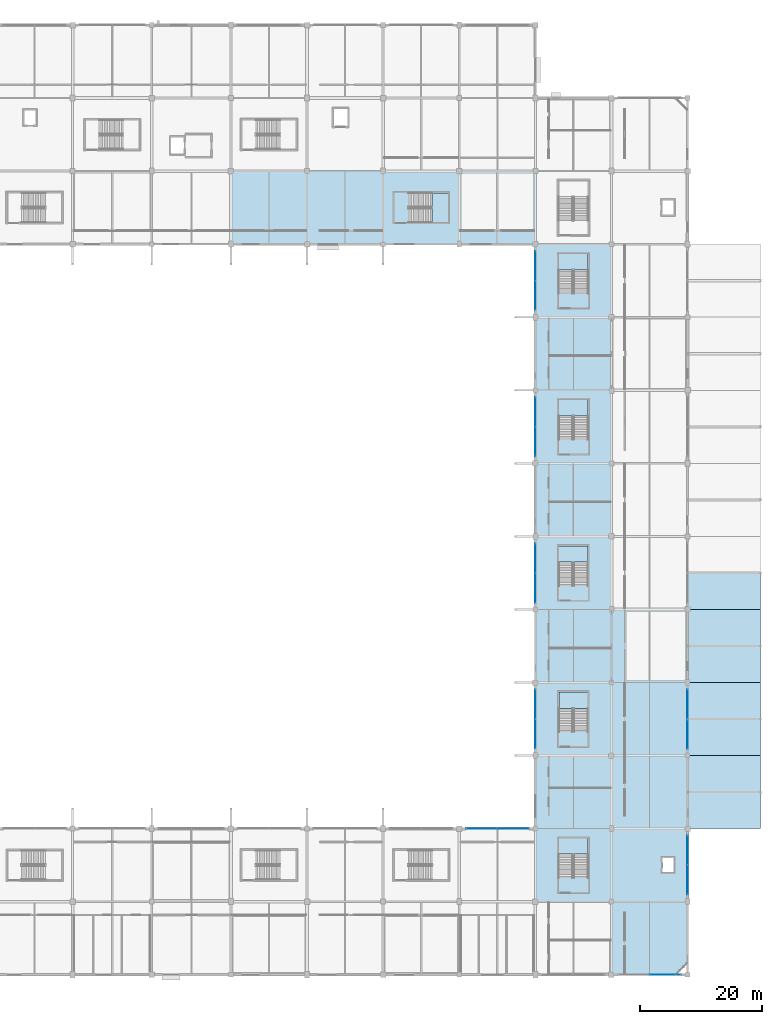
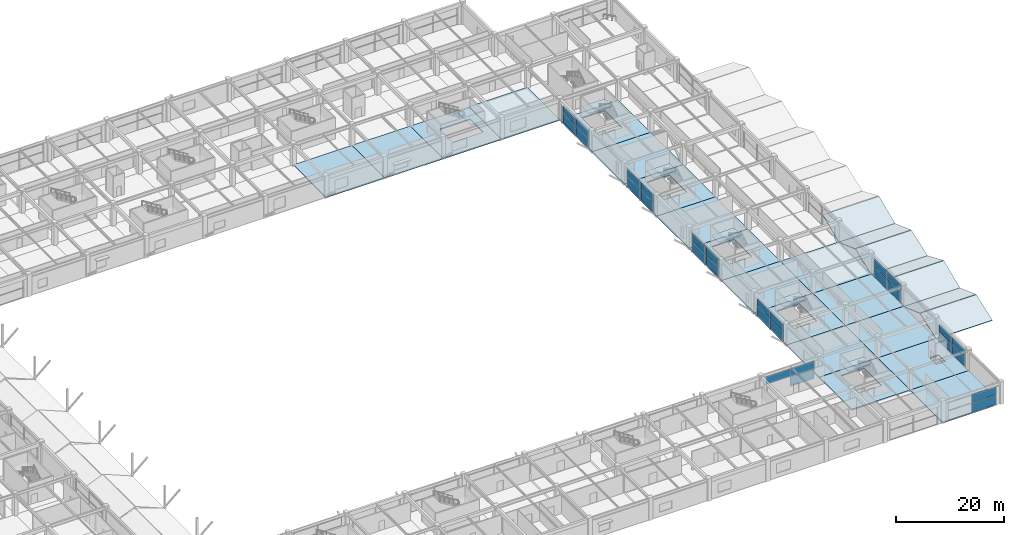
# One storey, part 58 of 116: 31 slabs, 29 plates, 14 elements without a shape of their own.
"""IFC4 building model written with IfcOpenShell, lengths in metres."""

from ifc_helpers import new_model, si_unit, direction, frame, origin, origin_2d, place, context, subcontext, project, spatial, polyline, rectangle, outline, extrude, material, layer, layer_set, type_object, element, aggregate, save


model = new_model("IFC4")

# Units and contexts
model_context = context("Model", 3, precision=1e-05, world=origin(), true_north=direction((0.0, 1.0)))
body_context = subcontext(model_context, "Body", "Model", "MODEL_VIEW")
ifc_project = project(units=[si_unit("LENGTHUNIT", "METRE"), si_unit("AREAUNIT", "SQUARE_METRE"), si_unit("VOLUMEUNIT", "CUBIC_METRE"), si_unit("PLANEANGLEUNIT", "RADIAN"), si_unit("MASSUNIT", "GRAM", prefix="KILO")], contexts=[model_context])

# Site, building, storey
site_placement = place(None, origin())
site = spatial("IfcSite", under=ifc_project, at=site_placement, CompositionType="ELEMENT")
building_placement = place(site_placement, origin())
building = spatial("IfcBuilding", under=site, at=building_placement, Name="Kazenohara Klinker Stadium", CompositionType="ELEMENT")
storey_placement = place(building_placement, frame((0.0, 0.0, 10.199951171875)))
storey = spatial("IfcBuildingStorey", under=building, at=storey_placement, Name="L02", CompositionType="ELEMENT", Elevation=10.199951171875)

# Curtain wall, plates
ifc_material_1 = material(Name="Anodised aluminium and triple glazing", Category="aluminium")
ifc_layer_1 = layer(ifc_material_1, 0.159912109375)
ifc_layer_set_1 = layer_set([ifc_layer_1], Name="Anodised aluminium and triple glazing")
curtain_wall_type_1 = type_object("IfcCurtainWallType", Name="CW-SYS-01", PredefinedType="USERDEFINED", material=ifc_layer_set_1)
curtain_wall_1_placement = place(storey_placement, origin())
curtain_wall_1 = element("IfcCurtainWall", 1, at=curtain_wall_1_placement, inside=storey, type_object=curtain_wall_type_1, Name="Unitised facade curtain wall CW01 L02 X13-3", ObjectType="UNITISED CURTAIN WALL", PredefinedType="USERDEFINED")
ifc_material_2 = material(Name="Low-e laminated triple glazing", Category="glass")
ifc_layer_2 = layer(ifc_material_2, 0.035888671875)
ifc_layer_set_2 = layer_set([ifc_layer_2], Name="Low-e laminated triple glazing")
plate_type_1 = type_object("IfcPlateType", Name="CW-PNL-36", PredefinedType="CURTAIN_PANEL", material=ifc_layer_set_2)
plate_1_placement = place(storey_placement, frame((166.205810546875, 36.0, 2.29833984375), z_axis=(0.0, 0.0, 1.0), x_axis=(1.0, 0.0, 0.0)))
plate_1 = element("IfcPlate", 2, at=plate_1_placement, type_object=plate_type_1, Name="CW01 panel 1.2", PredefinedType="CURTAIN_PANEL", context=body_context, shape_type="SweptSolid", body=[
    extrude(rectangle(XDim=5.073486328125, YDim=0.035888671875, at=origin_2d()), origin(), (0.0, 0.0, 1.0), 1.756591796875),
])
plate_2_placement = place(storey_placement, frame((171.34423828125, 36.0, 0.065185546875), z_axis=(0.0, 0.0, 1.0), x_axis=(1.0, 0.0, 0.0)))
plate_2 = element("IfcPlate", 3, at=plate_2_placement, type_object=plate_type_1, Name="CW01 panel 2.1", PredefinedType="CURTAIN_PANEL", context=body_context, shape_type="SweptSolid", body=[
    extrude(rectangle(XDim=5.073486328125, YDim=0.035888671875, at=origin_2d()), origin(), (0.0, 0.0, 1.0), 2.16845703125),
])
plate_3_placement = place(storey_placement, frame((171.34423828125, 36.0, 2.29833984375), z_axis=(0.0, 0.0, 1.0), x_axis=(1.0, 0.0, 0.0)))
plate_3 = element("IfcPlate", 4, at=plate_3_placement, type_object=plate_type_1, Name="CW01 panel 2.2", PredefinedType="CURTAIN_PANEL", context=body_context, shape_type="SweptSolid", body=[
    extrude(rectangle(XDim=5.073486328125, YDim=0.035888671875, at=origin_2d()), origin(), (0.0, 0.0, 1.0), 1.756591796875),
])
aggregate(curtain_wall_1, [plate_1, plate_2, plate_3])

ifc_layer_3 = layer(ifc_material_1, 0.18994140625)
ifc_layer_set_3 = layer_set([ifc_layer_3], Name="Anodised aluminium and triple glazing")
curtain_wall_type_2 = type_object("IfcCurtainWallType", Name="CW-SYS-05", PredefinedType="USERDEFINED", material=ifc_layer_set_3)
curtain_wall_2_placement = place(storey_placement, origin())
curtain_wall_2 = element("IfcCurtainWall", 5, at=curtain_wall_2_placement, inside=storey, type_object=curtain_wall_type_2, Name="Unitised facade curtain wall CW05 L02 Y14-6", ObjectType="UNITISED CURTAIN WALL", PredefinedType="USERDEFINED")
plate_4_placement = place(storey_placement, frame((175.0, 75.518310546875, 0.065185546875), z_axis=(0.0, 0.0, 1.0), x_axis=(0.0, 1.0, 0.0)))
plate_4 = element("IfcPlate", 6, at=plate_4_placement, type_object=plate_type_1, Name="CW05 panel 1.1", PredefinedType="CURTAIN_PANEL", context=body_context, shape_type="SweptSolid", body=[
    extrude(rectangle(XDim=4.798583984375, YDim=0.035888671875, at=origin_2d()), origin(), (0.0, 0.0, 1.0), 2.22998046875),
])
plate_5_placement = place(storey_placement, frame((175.0, 75.518310546875, 2.3603515625), z_axis=(0.0, 0.0, 1.0), x_axis=(0.0, 1.0, 0.0)))
plate_5 = element("IfcPlate", 7, at=plate_5_placement, type_object=plate_type_1, Name="CW05 panel 1.2", PredefinedType="CURTAIN_PANEL", context=body_context, shape_type="SweptSolid", body=[
    extrude(rectangle(XDim=4.798583984375, YDim=0.035888671875, at=origin_2d()), origin(), (0.0, 0.0, 1.0), 1.806884765625),
])
plate_6_placement = place(storey_placement, frame((175.0, 80.3818359375, 0.065185546875), z_axis=(0.0, 0.0, 1.0), x_axis=(0.0, 1.0, 0.0)))
plate_6 = element("IfcPlate", 8, at=plate_6_placement, type_object=plate_type_1, Name="CW05 panel 2.1", PredefinedType="CURTAIN_PANEL", context=body_context, shape_type="SweptSolid", body=[
    extrude(rectangle(XDim=4.798583984375, YDim=0.035888671875, at=origin_2d()), origin(), (0.0, 0.0, 1.0), 2.22998046875),
])
plate_7_placement = place(storey_placement, frame((175.0, 80.3818359375, 2.3603515625), z_axis=(0.0, 0.0, 1.0), x_axis=(0.0, 1.0, 0.0)))
plate_7 = element("IfcPlate", 9, at=plate_7_placement, type_object=plate_type_1, Name="CW05 panel 2.2", PredefinedType="CURTAIN_PANEL", context=body_context, shape_type="SweptSolid", body=[
    extrude(rectangle(XDim=4.798583984375, YDim=0.035888671875, at=origin_2d()), origin(), (0.0, 0.0, 1.0), 1.806884765625),
])
aggregate(curtain_wall_2, [plate_4, plate_5, plate_6, plate_7])

ifc_layer_4 = layer(ifc_material_1, 0.179931640625)
ifc_layer_set_4 = layer_set([ifc_layer_4], Name="Anodised aluminium and triple glazing")
curtain_wall_type_3 = type_object("IfcCurtainWallType", Name="CW-SYS-02", PredefinedType="USERDEFINED", material=ifc_layer_set_4)
curtain_wall_3_placement = place(storey_placement, origin())
curtain_wall_3 = element("IfcCurtainWall", 10, at=curtain_wall_3_placement, inside=storey, type_object=curtain_wall_type_3, Name="Unitised facade curtain wall CW02 L02 Y14-10", ObjectType="UNITISED CURTAIN WALL", PredefinedType="USERDEFINED")
plate_8_placement = place(storey_placement, frame((175.0, 123.605712890625, 0.06494140625), z_axis=(0.0, 0.0, 1.0), x_axis=(0.0, 1.0, 0.0)))
plate_8 = element("IfcPlate", 11, at=plate_8_placement, type_object=plate_type_1, Name="CW02 panel 1.1", PredefinedType="CURTAIN_PANEL", context=body_context, shape_type="SweptSolid", body=[
    extrude(rectangle(XDim=4.7734375, YDim=0.035888671875, at=origin_2d()), origin(), (0.0, 0.0, 1.0), 2.113525390625),
])
plate_9_placement = place(storey_placement, frame((175.0, 123.605712890625, 2.24365234375), z_axis=(0.0, 0.0, 1.0), x_axis=(0.0, 1.0, 0.0)))
plate_9 = element("IfcPlate", 12, at=plate_9_placement, type_object=plate_type_1, Name="CW02 panel 1.2", PredefinedType="CURTAIN_PANEL", context=body_context, shape_type="SweptSolid", body=[
    extrude(rectangle(XDim=4.7734375, YDim=0.035888671875, at=origin_2d()), origin(), (0.0, 0.0, 1.0), 1.71142578125),
])
plate_10_placement = place(storey_placement, frame((175.0, 128.4443359375, 0.06494140625), z_axis=(0.0, 0.0, 1.0), x_axis=(0.0, 1.0, 0.0)))
plate_10 = element("IfcPlate", 13, at=plate_10_placement, type_object=plate_type_1, Name="CW02 panel 2.1", PredefinedType="CURTAIN_PANEL", context=body_context, shape_type="SweptSolid", body=[
    extrude(rectangle(XDim=4.7734375, YDim=0.035888671875, at=origin_2d()), origin(), (0.0, 0.0, 1.0), 2.113525390625),
])
plate_11_placement = place(storey_placement, frame((175.0, 128.4443359375, 2.24365234375), z_axis=(0.0, 0.0, 1.0), x_axis=(0.0, 1.0, 0.0)))
plate_11 = element("IfcPlate", 14, at=plate_11_placement, type_object=plate_type_1, Name="CW02 panel 2.2", PredefinedType="CURTAIN_PANEL", context=body_context, shape_type="SweptSolid", body=[
    extrude(rectangle(XDim=4.7734375, YDim=0.035888671875, at=origin_2d()), origin(), (0.0, 0.0, 1.0), 1.71142578125),
])
aggregate(curtain_wall_3, [plate_8, plate_9, plate_10, plate_11])

ifc_layer_5 = layer(ifc_material_1, 0.169921875)
ifc_layer_set_5 = layer_set([ifc_layer_5], Name="Anodised aluminium and triple glazing")
curtain_wall_type_4 = type_object("IfcCurtainWallType", Name="CW-SYS-04", PredefinedType="USERDEFINED", material=ifc_layer_set_5)
curtain_wall_4_placement = place(storey_placement, origin())
curtain_wall_4 = element("IfcCurtainWall", 15, at=curtain_wall_4_placement, inside=storey, type_object=curtain_wall_type_4, Name="Unitised facade curtain wall CW04 L02 Y16-2", ObjectType="UNITISED CURTAIN WALL", PredefinedType="USERDEFINED")
plate_12_placement = place(storey_placement, frame((200.0, 27.605712890625, 0.06494140625), z_axis=(0.0, 0.0, 1.0), x_axis=(0.0, 1.0, 0.0)))
plate_12 = element("IfcPlate", 16, at=plate_12_placement, type_object=plate_type_1, Name="CW04 panel 1.1", PredefinedType="CURTAIN_PANEL", context=body_context, shape_type="SweptSolid", body=[
    extrude(rectangle(XDim=4.7734375, YDim=0.035888671875, at=origin_2d()), origin(), (0.0, 0.0, 1.0), 2.113525390625),
])
plate_13_placement = place(storey_placement, frame((200.0, 27.605712890625, 2.24365234375), z_axis=(0.0, 0.0, 1.0), x_axis=(0.0, 1.0, 0.0)))
plate_13 = element("IfcPlate", 17, at=plate_13_placement, type_object=plate_type_1, Name="CW04 panel 1.2", PredefinedType="CURTAIN_PANEL", context=body_context, shape_type="SweptSolid", body=[
    extrude(rectangle(XDim=4.7734375, YDim=0.035888671875, at=origin_2d()), origin(), (0.0, 0.0, 1.0), 1.71142578125),
])
plate_14_placement = place(storey_placement, frame((200.0, 32.4443359375, 0.06494140625), z_axis=(0.0, 0.0, 1.0), x_axis=(0.0, 1.0, 0.0)))
plate_14 = element("IfcPlate", 18, at=plate_14_placement, type_object=plate_type_1, Name="CW04 panel 2.1", PredefinedType="CURTAIN_PANEL", context=body_context, shape_type="SweptSolid", body=[
    extrude(rectangle(XDim=4.7734375, YDim=0.035888671875, at=origin_2d()), origin(), (0.0, 0.0, 1.0), 2.113525390625),
])
plate_15_placement = place(storey_placement, frame((200.0, 32.4443359375, 2.24365234375), z_axis=(0.0, 0.0, 1.0), x_axis=(0.0, 1.0, 0.0)))
plate_15 = element("IfcPlate", 19, at=plate_15_placement, type_object=plate_type_1, Name="CW04 panel 2.2", PredefinedType="CURTAIN_PANEL", context=body_context, shape_type="SweptSolid", body=[
    extrude(rectangle(XDim=4.7734375, YDim=0.035888671875, at=origin_2d()), origin(), (0.0, 0.0, 1.0), 1.71142578125),
])
aggregate(curtain_wall_4, [plate_12, plate_13, plate_14, plate_15])

curtain_wall_5_placement = place(storey_placement, origin())
curtain_wall_5 = element("IfcCurtainWall", 20, at=curtain_wall_5_placement, inside=storey, type_object=curtain_wall_type_4, Name="Unitised facade curtain wall CW04 L02 Y14-4", ObjectType="UNITISED CURTAIN WALL", PredefinedType="USERDEFINED")
ifc_layer_6 = layer(ifc_material_2, 0.0439453125)
ifc_layer_set_6 = layer_set([ifc_layer_6], Name="Low-e laminated triple glazing")
plate_type_2 = type_object("IfcPlateType", Name="CW-PNL-44", PredefinedType="CURTAIN_PANEL", material=ifc_layer_set_6)
plate_16_placement = place(storey_placement, frame((175.0, 51.608154296875, 0.0751953125), z_axis=(0.0, 0.0, 1.0), x_axis=(0.0, 1.0, 0.0)))
plate_16 = element("IfcPlate", 21, at=plate_16_placement, type_object=plate_type_2, Name="CW04 panel 1.1", PredefinedType="CURTAIN_PANEL", context=body_context, shape_type="SweptSolid", body=[
    extrude(rectangle(XDim=4.758544921875, YDim=0.0439453125, at=origin_2d()), origin(), (0.0, 0.0, 1.0), 2.098388671875),
])
plate_17_placement = place(storey_placement, frame((175.0, 51.608154296875, 2.24853515625), z_axis=(0.0, 0.0, 1.0), x_axis=(0.0, 1.0, 0.0)))
plate_17 = element("IfcPlate", 22, at=plate_17_placement, type_object=plate_type_2, Name="CW04 panel 1.2", PredefinedType="CURTAIN_PANEL", context=body_context, shape_type="SweptSolid", body=[
    extrude(rectangle(XDim=4.758544921875, YDim=0.0439453125, at=origin_2d()), origin(), (0.0, 0.0, 1.0), 1.696533203125),
])
plate_18_placement = place(storey_placement, frame((175.0, 56.441650390625, 0.0751953125), z_axis=(0.0, 0.0, 1.0), x_axis=(0.0, 1.0, 0.0)))
plate_18 = element("IfcPlate", 23, at=plate_18_placement, type_object=plate_type_2, Name="CW04 panel 2.1", PredefinedType="CURTAIN_PANEL", context=body_context, shape_type="SweptSolid", body=[
    extrude(rectangle(XDim=4.758544921875, YDim=0.0439453125, at=origin_2d()), origin(), (0.0, 0.0, 1.0), 2.098388671875),
])
plate_19_placement = place(storey_placement, frame((175.0, 56.441650390625, 2.24853515625), z_axis=(0.0, 0.0, 1.0), x_axis=(0.0, 1.0, 0.0)))
plate_19 = element("IfcPlate", 24, at=plate_19_placement, type_object=plate_type_2, Name="CW04 panel 2.2", PredefinedType="CURTAIN_PANEL", context=body_context, shape_type="SweptSolid", body=[
    extrude(rectangle(XDim=4.758544921875, YDim=0.0439453125, at=origin_2d()), origin(), (0.0, 0.0, 1.0), 1.696533203125),
])
aggregate(curtain_wall_5, [plate_16, plate_17, plate_18, plate_19])

curtain_wall_6_placement = place(storey_placement, origin())
curtain_wall_6 = element("IfcCurtainWall", 25, at=curtain_wall_6_placement, inside=storey, type_object=curtain_wall_type_1, Name="Unitised facade curtain wall CW01 L02 Y14-8", ObjectType="UNITISED CURTAIN WALL", PredefinedType="USERDEFINED")
plate_20_placement = place(storey_placement, frame((175.0, 99.583251953125, 0.0751953125), z_axis=(0.0, 0.0, 1.0), x_axis=(0.0, 1.0, 0.0)))
plate_20 = element("IfcPlate", 26, at=plate_20_placement, type_object=plate_type_2, Name="CW01 panel 1.1", PredefinedType="CURTAIN_PANEL", context=body_context, shape_type="SweptSolid", body=[
    extrude(rectangle(XDim=4.80859375, YDim=0.0439453125, at=origin_2d()), origin(), (0.0, 0.0, 1.0), 2.153564453125),
])
plate_21_placement = place(storey_placement, frame((175.0, 99.583251953125, 2.3037109375), z_axis=(0.0, 0.0, 1.0), x_axis=(0.0, 1.0, 0.0)))
plate_21 = element("IfcPlate", 27, at=plate_21_placement, type_object=plate_type_2, Name="CW01 panel 1.2", PredefinedType="CURTAIN_PANEL", context=body_context, shape_type="SweptSolid", body=[
    extrude(rectangle(XDim=4.80859375, YDim=0.0439453125, at=origin_2d()), origin(), (0.0, 0.0, 1.0), 1.741455078125),
])
plate_22_placement = place(storey_placement, frame((175.0, 104.466796875, 0.0751953125), z_axis=(0.0, 0.0, 1.0), x_axis=(0.0, 1.0, 0.0)))
plate_22 = element("IfcPlate", 28, at=plate_22_placement, type_object=plate_type_2, Name="CW01 panel 2.1", PredefinedType="CURTAIN_PANEL", context=body_context, shape_type="SweptSolid", body=[
    extrude(rectangle(XDim=4.80859375, YDim=0.0439453125, at=origin_2d()), origin(), (0.0, 0.0, 1.0), 2.153564453125),
])
plate_23_placement = place(storey_placement, frame((175.0, 104.466796875, 2.3037109375), z_axis=(0.0, 0.0, 1.0), x_axis=(0.0, 1.0, 0.0)))
plate_23 = element("IfcPlate", 29, at=plate_23_placement, type_object=plate_type_2, Name="CW01 panel 2.2", PredefinedType="CURTAIN_PANEL", context=body_context, shape_type="SweptSolid", body=[
    extrude(rectangle(XDim=4.80859375, YDim=0.0439453125, at=origin_2d()), origin(), (0.0, 0.0, 1.0), 1.741455078125),
])
aggregate(curtain_wall_6, [plate_20, plate_21, plate_22, plate_23])

ifc_layer_7 = layer(ifc_material_1, 0.199951171875)
ifc_layer_set_7 = layer_set([ifc_layer_7], Name="Anodised aluminium and triple glazing")
curtain_wall_type_5 = type_object("IfcCurtainWallType", Name="CW-SYS-03", PredefinedType="USERDEFINED", material=ifc_layer_set_7)
curtain_wall_7_placement = place(storey_placement, origin())
curtain_wall_7 = element("IfcCurtainWall", 30, at=curtain_wall_7_placement, inside=storey, type_object=curtain_wall_type_5, Name="Unitised facade curtain wall CW03 L02 X15-1", ObjectType="UNITISED CURTAIN WALL", PredefinedType="USERDEFINED")
plate_24_placement = place(storey_placement, frame((196.341796875, 12.0, 0.0751953125), z_axis=(0.0, 0.0, 1.0), x_axis=(1.0, 0.0, 0.0)))
plate_24 = element("IfcPlate", 31, at=plate_24_placement, type_object=plate_type_2, Name="CW03 panel 2.1", PredefinedType="CURTAIN_PANEL", context=body_context, shape_type="SweptSolid", body=[
    extrude(rectangle(XDim=5.05859375, YDim=0.0439453125, at=origin_2d()), origin(), (0.0, 0.0, 1.0), 2.153564453125),
])
plate_25_placement = place(storey_placement, frame((196.341796875, 12.0, 2.3037109375), z_axis=(0.0, 0.0, 1.0), x_axis=(1.0, 0.0, 0.0)))
plate_25 = element("IfcPlate", 32, at=plate_25_placement, type_object=plate_type_2, Name="CW03 panel 2.2", PredefinedType="CURTAIN_PANEL", context=body_context, shape_type="SweptSolid", body=[
    extrude(rectangle(XDim=5.05859375, YDim=0.0439453125, at=origin_2d()), origin(), (0.0, 0.0, 1.0), 1.741455078125),
])
aggregate(curtain_wall_7, [plate_24, plate_25])

curtain_wall_8_placement = place(storey_placement, origin())
curtain_wall_8 = element("IfcCurtainWall", 33, at=curtain_wall_8_placement, inside=storey, type_object=curtain_wall_type_2, Name="Unitised facade curtain wall CW05 L02 Y16-4", ObjectType="UNITISED CURTAIN WALL", PredefinedType="USERDEFINED")
plate_26_placement = place(storey_placement, frame((200.0, 51.520751953125, 0.0751953125), z_axis=(0.0, 0.0, 1.0), x_axis=(0.0, 1.0, 0.0)))
plate_26 = element("IfcPlate", 34, at=plate_26_placement, type_object=plate_type_2, Name="CW05 panel 1.1", PredefinedType="CURTAIN_PANEL", context=body_context, shape_type="SweptSolid", body=[
    extrude(rectangle(XDim=4.783447265625, YDim=0.0439453125, at=origin_2d()), origin(), (0.0, 0.0, 1.0), 2.215087890625),
])
plate_27_placement = place(storey_placement, frame((200.0, 51.520751953125, 2.364990234375), z_axis=(0.0, 0.0, 1.0), x_axis=(0.0, 1.0, 0.0)))
plate_27 = element("IfcPlate", 35, at=plate_27_placement, type_object=plate_type_2, Name="CW05 panel 1.2", PredefinedType="CURTAIN_PANEL", context=body_context, shape_type="SweptSolid", body=[
    extrude(rectangle(XDim=4.783447265625, YDim=0.0439453125, at=origin_2d()), origin(), (0.0, 0.0, 1.0), 1.7919921875),
])
plate_28_placement = place(storey_placement, frame((200.0, 56.379150390625, 0.0751953125), z_axis=(0.0, 0.0, 1.0), x_axis=(0.0, 1.0, 0.0)))
plate_28 = element("IfcPlate", 36, at=plate_28_placement, type_object=plate_type_2, Name="CW05 panel 2.1", PredefinedType="CURTAIN_PANEL", context=body_context, shape_type="SweptSolid", body=[
    extrude(rectangle(XDim=4.783447265625, YDim=0.0439453125, at=origin_2d()), origin(), (0.0, 0.0, 1.0), 2.215087890625),
])
plate_29_placement = place(storey_placement, frame((200.0, 56.379150390625, 2.364990234375), z_axis=(0.0, 0.0, 1.0), x_axis=(0.0, 1.0, 0.0)))
plate_29 = element("IfcPlate", 37, at=plate_29_placement, type_object=plate_type_2, Name="CW05 panel 2.2", PredefinedType="CURTAIN_PANEL", context=body_context, shape_type="SweptSolid", body=[
    extrude(rectangle(XDim=4.783447265625, YDim=0.0439453125, at=origin_2d()), origin(), (0.0, 0.0, 1.0), 1.7919921875),
])
aggregate(curtain_wall_8, [plate_26, plate_27, plate_28, plate_29])

# Slabs
ifc_material_3 = material(Name="Concrete C40/50", Category="concrete")
ifc_layer_8 = layer(ifc_material_3, 0.25)
ifc_layer_set_8 = layer_set([ifc_layer_8], Name="Concrete C40/50")
slab_type_1 = type_object("IfcSlabType", Name="SLB-FLR-250", PredefinedType="FLOOR", material=ifc_layer_set_8)
slab_1_placement = place(storey_placement, frame((0.0, 0.0, -0.25)))
element("IfcSlab", 38, at=slab_1_placement, inside=storey, type_object=slab_type_1, Name="Floor slab FS03 L02 11/M", PredefinedType="FLOOR", context=body_context, shape_type="SweptSolid", body=[
    extrude(outline(polyline([(125.0, 132.0), (137.5, 132.0), (137.5, 144.0), (125.0, 144.0), (125.0, 132.0)])), origin(), (0.0, 0.0, 1.0), 0.25),
])
slab_2_placement = place(storey_placement, frame((0.0, 0.0, -0.25)))
element("IfcSlab", 39, at=slab_2_placement, inside=storey, type_object=slab_type_1, Name="Floor slab FS03 L02 12/M", PredefinedType="FLOOR", context=body_context, shape_type="SweptSolid", body=[
    extrude(outline(polyline([(137.5, 132.0), (150.0, 132.0), (150.0, 144.0), (137.5, 144.0), (137.5, 132.0)])), origin(), (0.0, 0.0, 1.0), 0.25),
])
slab_3_placement = place(storey_placement, frame((0.0, 0.0, -0.25)))
element("IfcSlab", 40, at=slab_3_placement, inside=storey, type_object=slab_type_1, Name="Floor slab FS03 L02 13/M", PredefinedType="FLOOR", context=body_context, shape_type="SweptSolid", body=[
    extrude(outline(polyline([(150.0, 132.0), (162.5, 132.0), (162.5, 144.0), (150.0, 144.0), (150.0, 132.0)]), holes=[polyline([(154.2099609375, 135.56005859375), (160.7099609375, 135.56005859375), (160.7099609375, 140.43994140625), (154.2099609375, 140.43994140625), (154.2099609375, 135.56005859375)])]), origin(), (0.0, 0.0, 1.0), 0.25),
])
slab_4_placement = place(storey_placement, frame((0.0, 0.0, -0.25)))
element("IfcSlab", 41, at=slab_4_placement, inside=storey, type_object=slab_type_1, Name="Floor slab FS03 L02 14/M", PredefinedType="FLOOR", context=body_context, shape_type="SweptSolid", body=[
    extrude(outline(polyline([(162.5, 132.0), (175.0, 132.0), (175.0, 144.0), (162.5, 144.0), (162.5, 132.0)])), origin(), (0.0, 0.0, 1.0), 0.25),
])
slab_5_placement = place(storey_placement, frame((0.0, 0.0, -0.25)))
element("IfcSlab", 42, at=slab_5_placement, inside=storey, type_object=slab_type_1, Name="Floor slab FS03 L02 15/C", PredefinedType="FLOOR", context=body_context, shape_type="SweptSolid", body=[
    extrude(outline(polyline([(175.0, 24.0), (187.5, 24.0), (187.5, 36.0), (175.0, 36.0), (175.0, 24.0)]), holes=[polyline([(183.68994140625, 27.9599609375), (183.68994140625, 34.4599609375), (178.81005859375, 34.4599609375), (178.81005859375, 27.9599609375), (183.68994140625, 27.9599609375)])]), origin(), (0.0, 0.0, 1.0), 0.25),
])
slab_6_placement = place(storey_placement, frame((0.0, 0.0, -0.25)))
element("IfcSlab", 43, at=slab_6_placement, inside=storey, type_object=slab_type_1, Name="Floor slab FS03 L02 15/D", PredefinedType="FLOOR", context=body_context, shape_type="SweptSolid", body=[
    extrude(outline(polyline([(175.0, 36.0), (187.5, 36.0), (187.5, 48.0), (175.0, 48.0), (175.0, 36.0)])), origin(), (0.0, 0.0, 1.0), 0.25),
])
slab_7_placement = place(storey_placement, frame((0.0, 0.0, -0.25)))
element("IfcSlab", 44, at=slab_7_placement, inside=storey, type_object=slab_type_1, Name="Floor slab FS03 L02 15/E", PredefinedType="FLOOR", context=body_context, shape_type="SweptSolid", body=[
    extrude(outline(polyline([(175.0, 48.0), (187.5, 48.0), (187.5, 60.0), (175.0, 60.0), (175.0, 48.0)]), holes=[polyline([(183.64990234375, 51.919921875), (183.64990234375, 58.4599609375), (178.85009765625, 58.4599609375), (178.85009765625, 51.919921875), (183.64990234375, 51.919921875)])]), origin(), (0.0, 0.0, 1.0), 0.25),
])
slab_8_placement = place(storey_placement, frame((0.0, 0.0, -0.25)))
element("IfcSlab", 45, at=slab_8_placement, inside=storey, type_object=slab_type_1, Name="Floor slab FS03 L02 15/F", PredefinedType="FLOOR", context=body_context, shape_type="SweptSolid", body=[
    extrude(outline(polyline([(175.0, 60.0), (187.5, 60.0), (187.5, 72.0), (175.0, 72.0), (175.0, 60.0)])), origin(), (0.0, 0.0, 1.0), 0.25),
])
slab_9_placement = place(storey_placement, frame((0.0, 0.0, -0.25)))
element("IfcSlab", 46, at=slab_9_placement, inside=storey, type_object=slab_type_1, Name="Floor slab FS03 L02 15/G", PredefinedType="FLOOR", context=body_context, shape_type="SweptSolid", body=[
    extrude(outline(polyline([(175.0, 72.0), (187.5, 72.0), (187.5, 84.0), (175.0, 84.0), (175.0, 72.0)]), holes=[polyline([(183.659912109375, 75.929931640625), (183.659912109375, 82.4599609375), (178.840087890625, 82.4599609375), (178.840087890625, 75.929931640625), (183.659912109375, 75.929931640625)])]), origin(), (0.0, 0.0, 1.0), 0.25),
])
slab_10_placement = place(storey_placement, frame((0.0, 0.0, -0.25)))
element("IfcSlab", 47, at=slab_10_placement, inside=storey, type_object=slab_type_1, Name="Floor slab FS03 L02 15/H", PredefinedType="FLOOR", context=body_context, shape_type="SweptSolid", body=[
    extrude(outline(polyline([(175.0, 84.0), (187.5, 84.0), (187.5, 96.0), (175.0, 96.0), (175.0, 84.0)])), origin(), (0.0, 0.0, 1.0), 0.25),
])
slab_11_placement = place(storey_placement, frame((0.0, 0.0, -0.25)))
element("IfcSlab", 48, at=slab_11_placement, inside=storey, type_object=slab_type_1, Name="Floor slab FS03 L02 15/J", PredefinedType="FLOOR", context=body_context, shape_type="SweptSolid", body=[
    extrude(outline(polyline([(175.0, 96.0), (187.5, 96.0), (187.5, 108.0), (175.0, 108.0), (175.0, 96.0)]), holes=[polyline([(183.679931640625, 99.949951171875), (183.679931640625, 106.4599609375), (178.820068359375, 106.4599609375), (178.820068359375, 99.949951171875), (183.679931640625, 99.949951171875)])]), origin(), (0.0, 0.0, 1.0), 0.25),
])
slab_12_placement = place(storey_placement, frame((0.0, 0.0, -0.25)))
element("IfcSlab", 49, at=slab_12_placement, inside=storey, type_object=slab_type_1, Name="Floor slab FS03 L02 15/K", PredefinedType="FLOOR", context=body_context, shape_type="SweptSolid", body=[
    extrude(outline(polyline([(175.0, 108.0), (187.5, 108.0), (187.5, 120.0), (175.0, 120.0), (175.0, 108.0)])), origin(), (0.0, 0.0, 1.0), 0.25),
])
slab_13_placement = place(storey_placement, frame((0.0, 0.0, -0.25)))
element("IfcSlab", 50, at=slab_13_placement, inside=storey, type_object=slab_type_1, Name="Floor slab FS03 L02 15/L", PredefinedType="FLOOR", context=body_context, shape_type="SweptSolid", body=[
    extrude(outline(polyline([(175.0, 120.0), (187.5, 120.0), (187.5, 132.0), (175.0, 132.0), (175.0, 120.0)]), holes=[polyline([(183.68994140625, 123.9599609375), (183.68994140625, 130.4599609375), (178.81005859375, 130.4599609375), (178.81005859375, 123.9599609375), (183.68994140625, 123.9599609375)])]), origin(), (0.0, 0.0, 1.0), 0.25),
])
slab_14_placement = place(storey_placement, frame((0.0, 0.0, -0.25)))
element("IfcSlab", 51, at=slab_14_placement, inside=storey, type_object=slab_type_1, Name="Floor slab FS03 L02 16/B", PredefinedType="FLOOR", context=body_context, shape_type="SweptSolid", body=[
    extrude(outline(polyline([(187.5, 12.0), (198.199951171875, 12.0), (200.0, 13.800048828125), (200.0, 24.0), (187.5, 24.0), (187.5, 12.0)])), origin(), (0.0, 0.0, 1.0), 0.25),
])
slab_15_placement = place(storey_placement, frame((0.0, 0.0, -0.25)))
element("IfcSlab", 52, at=slab_15_placement, inside=storey, type_object=slab_type_1, Name="Floor slab FS03 L02 16/C", PredefinedType="FLOOR", context=body_context, shape_type="SweptSolid", body=[
    extrude(outline(polyline([(187.5, 24.0), (200.0, 24.0), (200.0, 36.0), (187.5, 36.0), (187.5, 24.0)]), holes=[polyline([(195.85009765625, 28.800048828125), (197.75, 28.800048828125), (197.75, 31.199951171875), (195.85009765625, 31.199951171875), (195.85009765625, 28.800048828125)])]), origin(), (0.0, 0.0, 1.0), 0.25),
])
slab_16_placement = place(storey_placement, frame((0.0, 0.0, -0.25)))
element("IfcSlab", 53, at=slab_16_placement, inside=storey, type_object=slab_type_1, Name="Floor slab FS03 L02 16/D", PredefinedType="FLOOR", context=body_context, shape_type="SweptSolid", body=[
    extrude(outline(polyline([(187.5, 36.0), (200.0, 36.0), (200.0, 48.0), (187.5, 48.0), (187.5, 36.0)])), origin(), (0.0, 0.0, 1.0), 0.25),
])
slab_17_placement = place(storey_placement, frame((0.0, 0.0, -0.25)))
element("IfcSlab", 54, at=slab_17_placement, inside=storey, type_object=slab_type_1, Name="Floor slab FS03 L02 16/E", PredefinedType="FLOOR", context=body_context, shape_type="SweptSolid", body=[
    extrude(outline(polyline([(187.5, 48.0), (200.0, 48.0), (200.0, 60.0), (187.5, 60.0), (187.5, 48.0)])), origin(), (0.0, 0.0, 1.0), 0.25),
])
slab_18_placement = place(storey_placement, frame((0.0, 0.0, -0.25)))
element("IfcSlab", 55, at=slab_18_placement, inside=storey, type_object=slab_type_1, Name="Floor slab FS03 L02 16/F", PredefinedType="FLOOR", context=body_context, shape_type="SweptSolid", body=[
    extrude(outline(polyline([(187.5, 60.0), (200.0, 60.0), (200.0, 72.0), (187.5, 72.0), (187.5, 60.0)])), origin(), (0.0, 0.0, 1.0), 0.25),
])

# Stair, slab
stair_type_1 = type_object("IfcStairType", Name="STR-DL-2340", PredefinedType="HALF_TURN_STAIR", material=ifc_material_3)
stair_1_placement = place(storey_placement, origin())
stair_1 = element("IfcStair", 56, at=stair_1_placement, inside=storey, type_object=stair_type_1, Name="L02 Enclosed escape stair ST16", PredefinedType="HALF_TURN_STAIR")
ifc_layer_9 = layer(ifc_material_3, 0.199951171875)
ifc_layer_set_9 = layer_set([ifc_layer_9], Name="Concrete C40/50")
slab_type_2 = type_object("IfcSlabType", Name="SLB-LND-200", PredefinedType="LANDING", material=ifc_layer_set_9)
slab_19_placement = place(storey_placement, frame((0.0, 0.0, 2.35009765625)))
slab_19 = element("IfcSlab", 57, at=slab_19_placement, type_object=slab_type_2, Name="ST16 landing 1", PredefinedType="LANDING", context=body_context, shape_type="SweptSolid", body=[
    extrude(outline(polyline([(183.68994140625, 31.800048828125), (183.68994140625, 34.4599609375), (178.81005859375, 34.4599609375), (178.81005859375, 31.800048828125), (183.68994140625, 31.800048828125)])), origin(), (0.0, 0.0, 1.0), 0.199951171875),
])
aggregate(stair_1, [slab_19])

stair_2_placement = place(storey_placement, origin())
stair_2 = element("IfcStair", 58, at=stair_2_placement, inside=storey, type_object=stair_type_1, Name="L02 Enclosed escape stair ST20", PredefinedType="HALF_TURN_STAIR")
slab_20_placement = place(storey_placement, frame((0.0, 0.0, 2.35009765625)))
slab_20 = element("IfcSlab", 59, at=slab_20_placement, type_object=slab_type_2, Name="ST20 landing 1", PredefinedType="LANDING", context=body_context, shape_type="SweptSolid", body=[
    extrude(outline(polyline([(158.050048828125, 135.56005859375), (160.7099609375, 135.56005859375), (160.7099609375, 140.43994140625), (158.050048828125, 140.43994140625), (158.050048828125, 135.56005859375)])), origin(), (0.0, 0.0, 1.0), 0.199951171875),
])
aggregate(stair_2, [slab_20])

stair_type_2 = type_object("IfcStairType", Name="STR-DL-2300", PredefinedType="HALF_TURN_STAIR", material=ifc_material_3)
stair_3_placement = place(storey_placement, origin())
stair_3 = element("IfcStair", 60, at=stair_3_placement, inside=storey, type_object=stair_type_2, Name="L02 Enclosed escape stair ST21", PredefinedType="HALF_TURN_STAIR")
slab_21_placement = place(storey_placement, frame((0.0, 0.0, 2.35009765625)))
slab_21 = element("IfcSlab", 61, at=slab_21_placement, type_object=slab_type_2, Name="ST21 landing 1", PredefinedType="LANDING", context=body_context, shape_type="SweptSolid", body=[
    extrude(outline(polyline([(183.64990234375, 55.760009765625), (183.64990234375, 58.4599609375), (178.85009765625, 58.4599609375), (178.85009765625, 55.760009765625), (183.64990234375, 55.760009765625)])), origin(), (0.0, 0.0, 1.0), 0.199951171875),
])
aggregate(stair_3, [slab_21])

stair_type_3 = type_object("IfcStairType", Name="STR-DL-2310", PredefinedType="HALF_TURN_STAIR", material=ifc_material_3)
stair_4_placement = place(storey_placement, origin())
stair_4 = element("IfcStair", 62, at=stair_4_placement, inside=storey, type_object=stair_type_3, Name="L02 Enclosed escape stair ST22", PredefinedType="HALF_TURN_STAIR")
slab_22_placement = place(storey_placement, frame((0.0, 0.0, 2.35009765625)))
slab_22 = element("IfcSlab", 63, at=slab_22_placement, type_object=slab_type_2, Name="ST22 landing 1", PredefinedType="LANDING", context=body_context, shape_type="SweptSolid", body=[
    extrude(outline(polyline([(183.659912109375, 79.77001953125), (183.659912109375, 82.4599609375), (178.840087890625, 82.4599609375), (178.840087890625, 79.77001953125), (183.659912109375, 79.77001953125)])), origin(), (0.0, 0.0, 1.0), 0.199951171875),
])
aggregate(stair_4, [slab_22])

stair_type_4 = type_object("IfcStairType", Name="STR-DL-2330", PredefinedType="HALF_TURN_STAIR", material=ifc_material_3)
stair_5_placement = place(storey_placement, origin())
stair_5 = element("IfcStair", 64, at=stair_5_placement, inside=storey, type_object=stair_type_4, Name="L02 Enclosed escape stair ST23", PredefinedType="HALF_TURN_STAIR")
slab_23_placement = place(storey_placement, frame((0.0, 0.0, 2.35009765625)))
slab_23 = element("IfcSlab", 65, at=slab_23_placement, type_object=slab_type_2, Name="ST23 landing 1", PredefinedType="LANDING", context=body_context, shape_type="SweptSolid", body=[
    extrude(outline(polyline([(183.679931640625, 103.7900390625), (183.679931640625, 106.4599609375), (178.820068359375, 106.4599609375), (178.820068359375, 103.7900390625), (183.679931640625, 103.7900390625)])), origin(), (0.0, 0.0, 1.0), 0.199951171875),
])
aggregate(stair_5, [slab_23])

stair_6_placement = place(storey_placement, origin())
stair_6 = element("IfcStair", 66, at=stair_6_placement, inside=storey, type_object=stair_type_1, Name="L02 Enclosed escape stair ST24", PredefinedType="HALF_TURN_STAIR")
slab_24_placement = place(storey_placement, frame((0.0, 0.0, 2.35009765625)))
slab_24 = element("IfcSlab", 67, at=slab_24_placement, type_object=slab_type_2, Name="ST24 landing 1", PredefinedType="LANDING", context=body_context, shape_type="SweptSolid", body=[
    extrude(outline(polyline([(183.68994140625, 127.800048828125), (183.68994140625, 130.4599609375), (178.81005859375, 130.4599609375), (178.81005859375, 127.800048828125), (183.68994140625, 127.800048828125)])), origin(), (0.0, 0.0, 1.0), 0.199951171875),
])
aggregate(stair_6, [slab_24])

# Slabs
ifc_material_4 = material(Name="Steel S355", Category="steel")
ifc_layer_10 = layer(ifc_material_4, 0.169921875)
ifc_layer_set_10 = layer_set([ifc_layer_10], Name="Steel S355")
slab_type_3 = type_object("IfcSlabType", Name="SLB-ROOF-170", PredefinedType="ROOF", material=ifc_layer_set_10)
for number, where, z_axis, x_axis, name in (
    (68, (200.0, 36.0, -0.079833984375), (0.0, -0.3398274788, 0.940487790805), (1.0, 0.0, 0.0), "Sloped snow-shedding wing roof RS02 L02 17/D A"),
    (69, (200.0, 42.050048828125, 2.070068359375), (0.0, 0.3398274788, 0.940487790805), (1.0, 0.0, 0.0), "Sloped snow-shedding wing roof RS02 L02 17/D B"),
):
    element("IfcSlab", number, at=place(storey_placement, frame(where, z_axis=z_axis, x_axis=x_axis)), inside=storey, type_object=slab_type_3, Name=name, PredefinedType="ROOF", context=body_context, shape_type="SweptSolid", body=[
        extrude(outline(polyline([(0.0, 0.0), (12.0, 0.0), (12.0, 6.326452326174476), (0.0, 6.326452326174476), (0.0, 0.0)])), origin(), (0.0, 0.0, -1.0), 0.169921875),
    ])
for number, where, z_axis, x_axis, name in (
    (70, (200.0, 48.0, -0.079833984375), (0.0, -0.393896539344, 0.919154783642), (1.0, 0.0, 0.0), "Sloped snow-shedding wing roof RS02 L02 17/E A"),
    (71, (200.0, 54.050048828125, 2.469970703125), (0.0, 0.393896539344, 0.919154783642), (1.0, 0.0, 0.0), "Sloped snow-shedding wing roof RS02 L02 17/E B"),
):
    element("IfcSlab", number, at=place(storey_placement, frame(where, z_axis=z_axis, x_axis=x_axis)), inside=storey, type_object=slab_type_3, Name=name, PredefinedType="ROOF", context=body_context, shape_type="SweptSolid", body=[
        extrude(outline(polyline([(0.0, 0.0), (12.0, 0.0), (12.0, 6.473285324477336), (0.0, 6.473285324477336), (0.0, 0.0)])), origin(), (0.0, 0.0, -1.0), 0.169921875),
    ])
for number, where, z_axis, x_axis, name in (
    (72, (200.0, 60.0, -0.079833984375), (0.0, -0.3398274788, 0.940487790805), (1.0, 0.0, 0.0), "Sloped snow-shedding wing roof RS02 L02 17/F A"),
    (73, (200.0, 66.050048828125, 2.070068359375), (0.0, 0.3398274788, 0.940487790805), (1.0, 0.0, 0.0), "Sloped snow-shedding wing roof RS02 L02 17/F B"),
):
    element("IfcSlab", number, at=place(storey_placement, frame(where, z_axis=z_axis, x_axis=x_axis)), inside=storey, type_object=slab_type_3, Name=name, PredefinedType="ROOF", context=body_context, shape_type="SweptSolid", body=[
        extrude(outline(polyline([(0.0, 0.0), (12.0, 0.0), (12.0, 6.326452326174476), (0.0, 6.326452326174476), (0.0, 0.0)])), origin(), (0.0, 0.0, -1.0), 0.169921875),
    ])
slab_25_placement = place(storey_placement, frame((200.0, 72.0, -0.079833984375), z_axis=(0.0, -0.393896539344, 0.919154783642), x_axis=(1.0, 0.0, 0.0)))
element("IfcSlab", 74, at=slab_25_placement, inside=storey, type_object=slab_type_3, Name="Sloped snow-shedding wing roof RS02 L02 17/G A", PredefinedType="ROOF", context=body_context, shape_type="SweptSolid", body=[
    extrude(outline(polyline([(0.0, 0.0), (12.0, 0.0), (12.0, 6.473285324477336), (0.0, 6.473285324477336), (0.0, 0.0)])), origin(), (0.0, 0.0, -1.0), 0.169921875),
])

save(model, "model.ifc")
